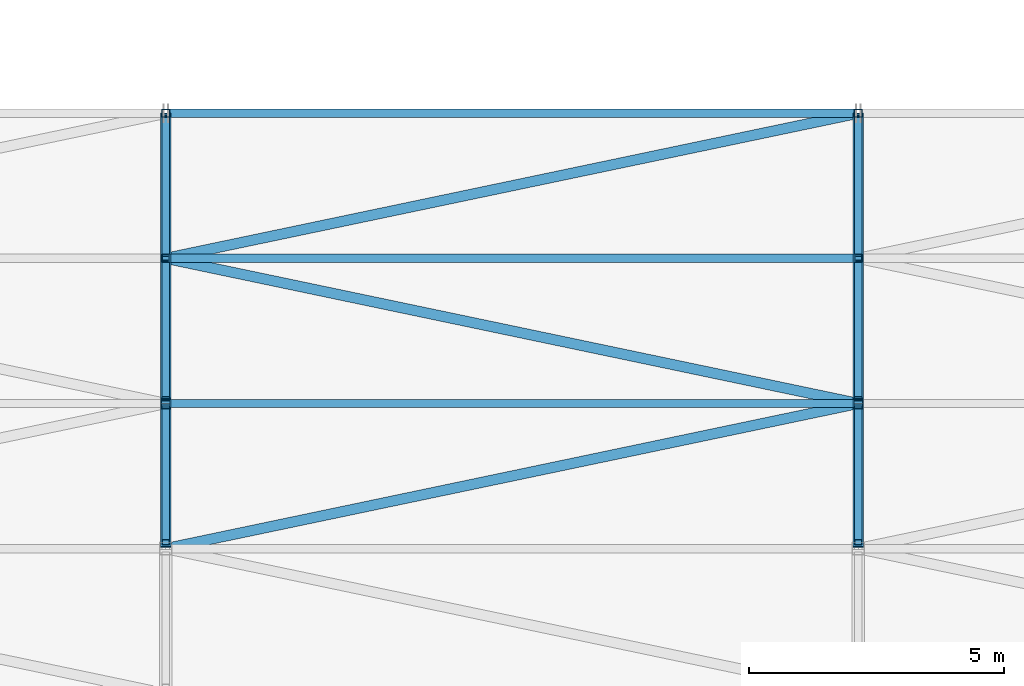
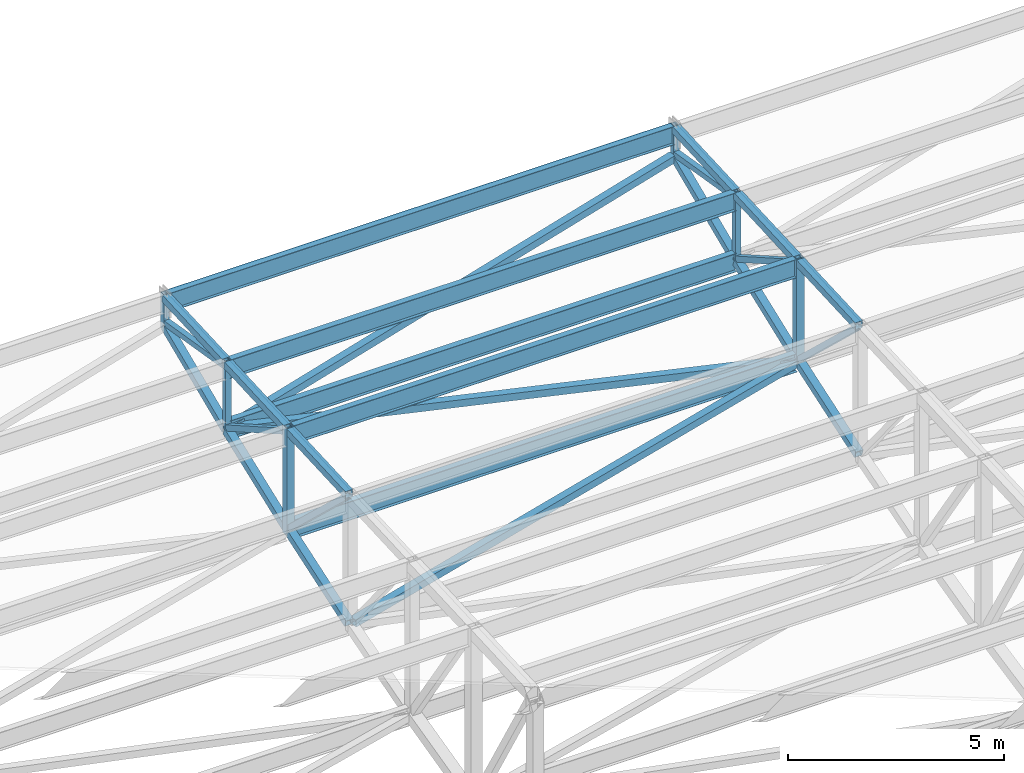
# One storey, part 26 of 278: 18 beams, 14 members.
"""IFC4 building model written with IfcOpenShell, lengths in metres."""

import ifcopenshell
import ifcopenshell.guid

model = None  # the IFC model being written
_history = None  # IfcOwnerHistory: only IFC2X3 demands one
_inside = {}  # id of a spatial element -> (the spatial element, [elements in it])
_under = {}  # id of a project, library or spatial element -> (it, [spatial elements below it])
_declared = {}  # id of a project -> (the project, [libraries it declares])
_typed = {}  # id of a type object -> (the type object, [elements of that type])
_made_of = {}  # id of a material, layer set ... -> (it, [elements and type objects made of it])


def new_model(schema):
    """Start an empty IFC model of exactly this schema.

    Asked for "IFC4X3", IfcOpenShell would pick the latest addendum, in which some entities
    have other attributes; the version numbers below select the first issue.
    IFC2X3 requires an IfcOwnerHistory on every rooted entity: one is made here for all.
    """
    global model, _history
    if schema == "IFC4X3":
        model = ifcopenshell.file(schema_version=(4, 3, 0, 0))
    else:
        model = ifcopenshell.file(schema=schema)
    _inside.clear()
    _under.clear()
    _declared.clear()
    _typed.clear()
    _made_of.clear()
    _history = None
    if model.schema == "IFC2X3":
        org = make("IfcOrganization", Name="unknown")
        user = make(
            "IfcPersonAndOrganization",
            ThePerson=make("IfcPerson", FamilyName="unknown"),
            TheOrganization=org,
        )
        app = make(
            "IfcApplication",
            ApplicationDeveloper=org,
            Version="unknown",
            ApplicationFullName="unknown",
            ApplicationIdentifier="unknown",
        )
        _history = make(
            "IfcOwnerHistory",
            OwningUser=user,
            OwningApplication=app,
            ChangeAction="ADDED",
            CreationDate=0,
        )
    return model


def make(cls, **values):
    """One entity of the class cls with the attributes given. An attribute that is None is left unset."""
    return model.create_entity(
        cls, **{name: value for name, value in values.items() if value is not None}
    )


def rooted(cls, **values):
    """An entity with a GlobalId (a new one), such as an element, a storey or a relation."""
    return make(cls, GlobalId=ifcopenshell.guid.new(), OwnerHistory=_history, **values)


def si_unit(unit_type, name, prefix=None):
    """IfcSIUnit, for example si_unit("LENGTHUNIT", "METRE", prefix="MILLI")."""
    return make("IfcSIUnit", UnitType=unit_type, Prefix=prefix, Name=name)


def assignment(units):
    """IfcUnitAssignment: the units of a project."""
    return None if units is None else make("IfcUnitAssignment", Units=units)


def point(xyz):
    """IfcCartesianPoint."""
    return None if xyz is None else make("IfcCartesianPoint", Coordinates=xyz)


def direction(xyz):
    """IfcDirection."""
    return None if xyz is None else make("IfcDirection", DirectionRatios=xyz)


def frame(location, z_axis=None, x_axis=None):
    """IfcAxis2Placement3D, a coordinate frame: its origin and axes. An axis left out is left unset."""
    return make(
        "IfcAxis2Placement3D",
        Location=point(location),
        Axis=direction(z_axis),
        RefDirection=direction(x_axis),
    )


def frame_2d(location, x_axis=None):
    """IfcAxis2Placement2D, a coordinate frame in the plane: its origin and x axis."""
    return make(
        "IfcAxis2Placement2D", Location=point(location), RefDirection=direction(x_axis)
    )


def origin():
    """The frame at (0, 0, 0) with its axes left unset."""
    return frame((0.0, 0.0, 0.0))


def origin_2d():
    """The frame at (0, 0) in the plane with its x axis left unset."""
    return frame_2d((0.0, 0.0))


def place(relative_to, where):
    """IfcLocalPlacement: puts the frame where relative to a parent placement (None: the world)."""
    return make(
        "IfcLocalPlacement", PlacementRelTo=relative_to, RelativePlacement=where
    )


def context(
    kind, dimensions, precision=None, world=None, true_north=None, identifier=None
):
    """IfcGeometricRepresentationContext, for example the 3D "Model" context."""
    return make(
        "IfcGeometricRepresentationContext",
        ContextIdentifier=identifier,
        ContextType=kind,
        CoordinateSpaceDimension=dimensions,
        Precision=precision,
        WorldCoordinateSystem=world,
        TrueNorth=true_north,
    )


def subcontext(parent, identifier, kind, view, scale=None):
    """IfcGeometricRepresentationSubContext, for example "Body" below "Model"."""
    return make(
        "IfcGeometricRepresentationSubContext",
        ContextIdentifier=identifier,
        ContextType=kind,
        ParentContext=parent,
        TargetScale=scale,
        TargetView=view,
    )


def project(units=None, contexts=None):
    """IfcProject with its units and contexts."""
    return rooted(
        "IfcProject",
        Name="project",
        RepresentationContexts=contexts,
        UnitsInContext=assignment(units),
    )


def spatial(cls, under=None, at=None, **own):
    """A site, building, storey or space (cls), placed at a placement, below another one or the project."""
    s = rooted(cls, ObjectPlacement=at, **own)
    if under is not None:
        _under.setdefault(under.id(), (under, []))[1].append(s)
    return s


def profile(cls, at=None, kind="AREA", **sizes):
    """A parametric profile (cls). Its sizes go by their IFC names, for example OverallWidth=200.0."""
    return make(cls, ProfileType=kind, Position=at, **sizes)


def hollow_rectangle(**sizes):
    """IfcRectangleHollowProfileDef."""
    return profile("IfcRectangleHollowProfileDef", **sizes)


def i_section(**sizes):
    """IfcIShapeProfileDef."""
    return profile("IfcIShapeProfileDef", **sizes)


def extrude(swept, where, along, depth):
    """IfcExtrudedAreaSolid: the profile swept, set in the frame where, extruded along a direction by depth."""
    return make(
        "IfcExtrudedAreaSolid",
        SweptArea=swept,
        Position=where,
        ExtrudedDirection=direction(along),
        Depth=depth,
    )


def shape(context_of_items, identifier, shape_type, items):
    """IfcShapeRepresentation: the items that make up one representation, for example the "Body"."""
    return make(
        "IfcShapeRepresentation",
        ContextOfItems=context_of_items,
        RepresentationIdentifier=identifier,
        RepresentationType=shape_type,
        Items=items,
    )


def material(Name=None, Category=None):
    """IfcMaterial."""
    return make("IfcMaterial", Name=Name, Category=Category)


def material_profile(
    of_material, cross_section, Name=None, Category=None, Priority=None
):
    """IfcMaterialProfile: a cross section and its material."""
    return make(
        "IfcMaterialProfile",
        Name=Name,
        Material=of_material,
        Profile=cross_section,
        Priority=Priority,
        Category=Category,
    )


def profile_set(profiles, Name=None, composite=None):
    """IfcMaterialProfileSet."""
    return make(
        "IfcMaterialProfileSet",
        Name=Name,
        MaterialProfiles=profiles,
        CompositeProfile=composite,
    )


def made_of(thing, what):
    """Note that an element or type object is made of a material, layer set ...; save() writes the relation."""
    if what is not None:
        _made_of.setdefault(what.id(), (what, []))[1].append(thing)
    return thing


def type_object(cls, material=None, **own):
    """A type object (cls), such as IfcWallType, which elements share."""
    return made_of(rooted(cls, **own), material)


def element(
    cls,
    number,
    at=None,
    inside=None,
    cuts=None,
    type_object=None,
    material=None,
    context=None,
    identifier="Body",
    shape_type=None,
    held_by="IfcProductDefinitionShape",
    body=None,
    shapes=None,
    **own,
):
    """One element of the class cls, such as IfcWall. Its Tag is "e" and its number.

    at: its placement. inside: the storey or other place that contains it. cuts: it is an
    opening in that element (IfcRelVoidsElement). A single representation is given by context,
    identifier, shape_type and body (its items); several are given by shapes. held_by: the class
    of the entity that holds the representations. save() writes the other relations.
    """
    e = rooted(cls, Tag="e%d" % number, ObjectPlacement=at, **own)
    if body is not None:
        shapes = [shape(context, identifier, shape_type, body)]
    if shapes is not None:
        e.Representation = make(held_by, Representations=shapes)
    if inside is not None:
        _inside.setdefault(inside.id(), (inside, []))[1].append(e)
    if cuts is not None:
        rooted(
            "IfcRelVoidsElement", RelatingBuildingElement=cuts, RelatedOpeningElement=e
        )
    if type_object is not None:
        _typed.setdefault(type_object.id(), (type_object, []))[1].append(e)
    return made_of(e, material)


def aggregate(whole, parts):
    """IfcRelAggregates: a whole, such as a stair, and the parts it consists of."""
    return rooted("IfcRelAggregates", RelatingObject=whole, RelatedObjects=parts)


def save(model, path):
    """Write the relations noted so far, then the file.

    IfcRelAggregates (storeys below a building ...), IfcRelContainedInSpatialStructure (elements
    in a storey), IfcRelDefinesByType, IfcRelAssociatesMaterial and IfcRelDeclares: one each for
    every whole, place, type object, material and project.
    """
    for whole, parts in _under.values():
        aggregate(whole, parts)
    for where, things in _inside.values():
        rooted(
            "IfcRelContainedInSpatialStructure",
            RelatedElements=things,
            RelatingStructure=where,
        )
    for kind, things in _typed.values():
        rooted("IfcRelDefinesByType", RelatedObjects=things, RelatingType=kind)
    for what, things in _made_of.values():
        rooted("IfcRelAssociatesMaterial", RelatedObjects=things, RelatingMaterial=what)
    for by, libraries in _declared.values():
        rooted("IfcRelDeclares", RelatingContext=by, RelatedDefinitions=libraries)
    model.write(path)


model = new_model("IFC4")

# Units and contexts
model_context = context("Model", 3, precision=1e-05, world=origin(), true_north=direction((0.0, 1.0)))
body_context = subcontext(model_context, "Body", "Model", "MODEL_VIEW")
ifc_project = project(units=[si_unit("LENGTHUNIT", "METRE"), si_unit("AREAUNIT", "SQUARE_METRE"), si_unit("VOLUMEUNIT", "CUBIC_METRE"), si_unit("PLANEANGLEUNIT", "RADIAN"), si_unit("MASSUNIT", "GRAM", prefix="KILO")], contexts=[model_context])

# Site, building, storey
site_placement = place(None, origin())
site = spatial("IfcSite", under=ifc_project, at=site_placement, CompositionType="ELEMENT")
building_placement = place(site_placement, origin())
building = spatial("IfcBuilding", under=site, at=building_placement, Name="Ogive Plaza Stadium", CompositionType="ELEMENT")
storey_placement = place(building_placement, frame((0.0, 0.0, 29.0)))
storey = spatial("IfcBuildingStorey", under=building, at=storey_placement, Name="Roof", CompositionType="ELEMENT", Elevation=29.0)

# Members
ifc_material_1 = material(Name="Steel ASTM A500 Grade C", Category="steel")
ifc_material_profile_1 = material_profile(ifc_material_1, hollow_rectangle(XDim=0.203125, YDim=0.203125, WallThickness=0.0087890625, at=origin_2d()), Name="HSS8X8X3/8")
ifc_profile_set_1 = profile_set([ifc_material_profile_1], Name="Steel ASTM A500 Grade C")
member_type_1 = type_object("IfcMemberType", Name="Roof plan brace HSS8X8X3/8", PredefinedType="BRACE", material=ifc_profile_set_1)
member_1_placement = place(storey_placement, frame((-6.86767578125, -64.01416015625, 6.5205078125), z_axis=(-0.974983402681, -0.204327358854, -0.087508256301), x_axis=(0.205114219191, -0.978738043138, 0.0)))
element("IfcMember", 1, at=member_1_placement, inside=storey, type_object=member_type_1, Name="ROOF BRACE B15 1", PredefinedType="BRACE", context=body_context, shape_type="SweptSolid", body=[
    extrude(hollow_rectangle(XDim=0.203125, YDim=0.203125, WallThickness=0.0087890625, at=origin_2d()), origin(), (0.0, 0.0, 1.0), 13.81005859375),
])
member_2_placement = place(storey_placement, frame((-20.332275390625, -66.8642578125, 5.30029296875), z_axis=(0.975733868402, -0.204463279961, -0.078346571082), x_axis=(0.205093700418, 0.978742343035, 0.0)))
element("IfcMember", 2, at=member_2_placement, inside=storey, type_object=member_type_1, Name="ROOF BRACE B15 2", PredefinedType="BRACE", context=body_context, shape_type="SweptSolid", body=[
    extrude(hollow_rectangle(XDim=0.203125, YDim=0.203125, WallThickness=0.0087890625, at=origin_2d()), origin(), (0.0, 0.0, 1.0), 13.7734375),
])
member_3_placement = place(storey_placement, frame((-6.89306640625, -69.719482421875, 4.207275390625), z_axis=(-0.976515317582, -0.204641125651, -0.067378366106), x_axis=(0.205107232709, -0.97873950727, 0.0)))
element("IfcMember", 3, at=member_3_placement, inside=storey, type_object=member_type_1, Name="ROOF BRACE B15 3", PredefinedType="BRACE", context=body_context, shape_type="SweptSolid", body=[
    extrude(hollow_rectangle(XDim=0.203125, YDim=0.203125, WallThickness=0.0087890625, at=origin_2d()), origin(), (0.0, 0.0, 1.0), 13.736328125),
])
ifc_material_2 = material(Name="Steel ASTM A992 Grade 50", Category="steel")
ifc_material_profile_2 = material_profile(ifc_material_2, i_section(OverallWidth=0.1650390625, OverallDepth=0.524658203125, WebThickness=0.0087890625, FlangeThickness=0.011474609375, at=origin_2d()), Name="W21X44")
ifc_profile_set_2 = profile_set([ifc_material_profile_2], Name="Steel ASTM A992 Grade 50")
member_type_2 = type_object("IfcMemberType", Name="Roof plan strut W21X44", PredefinedType="STRUT", material=ifc_profile_set_2)
member_4_placement = place(storey_placement, frame((-6.84619140625, -66.85009765625, 5.305908203125), z_axis=(-1.0, 0.0, 0.0), x_axis=(0.0, -1.0, 0.0)))
element("IfcMember", 4, at=member_4_placement, inside=storey, type_object=member_type_2, Name="ROOF STRUT B15 1", PredefinedType="STRUT", context=body_context, shape_type="SweptSolid", body=[
    extrude(i_section(OverallWidth=0.1650390625, OverallDepth=0.524658203125, WebThickness=0.0087890625, FlangeThickness=0.011474609375, at=origin_2d()), origin(), (0.0, 0.0, 1.0), 13.507568359375),
])
member_5_placement = place(storey_placement, frame((-6.87158203125, -69.699951171875, 4.213623046875), z_axis=(-1.0, 0.0, 0.0), x_axis=(0.0, -1.0, 0.0)))
element("IfcMember", 5, at=member_5_placement, inside=storey, type_object=member_type_2, Name="ROOF STRUT B15 2", PredefinedType="STRUT", context=body_context, shape_type="SweptSolid", body=[
    extrude(i_section(OverallWidth=0.1650390625, OverallDepth=0.524658203125, WebThickness=0.0087890625, FlangeThickness=0.011474609375, at=origin_2d()), origin(), (0.0, 0.0, 1.0), 13.456787109375),
])
ifc_material_3 = material(Name="Steel ASTM A992 Grade 50", Category="steel")
ifc_material_profile_3 = material_profile(ifc_material_3, i_section(OverallWidth=0.1650390625, OverallDepth=0.524658203125, WebThickness=0.0087890625, FlangeThickness=0.011474609375, at=origin_2d()), Name="W21X44")
ifc_profile_set_3 = profile_set([ifc_material_profile_3], Name="Steel ASTM A992 Grade 50")
member_type_3 = type_object("IfcMemberType", Name="Roof purlin W21X44", PredefinedType="PURLIN", material=ifc_profile_set_3)
member_6_placement = place(storey_placement, frame((-6.84619140625, -66.85009765625, 7.02001953125), z_axis=(-1.0, 0.0, 0.0), x_axis=(0.0, -1.0, 0.0)))
element("IfcMember", 6, at=member_6_placement, inside=storey, type_object=member_type_3, Name="ROOF PURLIN B15 1", PredefinedType="PURLIN", context=body_context, shape_type="SweptSolid", body=[
    extrude(i_section(OverallWidth=0.1650390625, OverallDepth=0.524658203125, WebThickness=0.0087890625, FlangeThickness=0.011474609375, at=origin_2d()), origin(), (0.0, 0.0, 1.0), 13.507568359375),
])
member_7_placement = place(storey_placement, frame((-6.87158203125, -69.699951171875, 6.877685546875), z_axis=(-1.0, 0.0, 0.0), x_axis=(0.0, -1.0, 0.0)))
element("IfcMember", 7, at=member_7_placement, inside=storey, type_object=member_type_3, Name="ROOF PURLIN B15 2", PredefinedType="PURLIN", context=body_context, shape_type="SweptSolid", body=[
    extrude(i_section(OverallWidth=0.1650390625, OverallDepth=0.524658203125, WebThickness=0.0087890625, FlangeThickness=0.011474609375, at=origin_2d()), origin(), (0.0, 0.0, 1.0), 13.456787109375),
])
ifc_material_4 = material(Name="Steel ASTM A992 Grade 50", Category="steel")
ifc_material_profile_4 = material_profile(ifc_material_4, i_section(OverallWidth=0.1650390625, OverallDepth=0.524658203125, WebThickness=0.0087890625, FlangeThickness=0.011474609375, at=origin_2d()), Name="W21X44")
ifc_profile_set_4 = profile_set([ifc_material_profile_4], Name="Steel ASTM A992 Grade 50")
member_type_4 = type_object("IfcMemberType", Name="Roof tip ring beam W21X44", PredefinedType="MEMBER", material=ifc_profile_set_4)
member_8_placement = place(storey_placement, frame((-6.84619140625, -64.0, 7.16259765625), z_axis=(-1.0, 0.0, 0.0), x_axis=(0.0, -1.0, 0.0)))
element("IfcMember", 8, at=member_8_placement, inside=storey, type_object=member_type_4, Name="RING BEAM B15", PredefinedType="MEMBER", context=body_context, shape_type="SweptSolid", body=[
    extrude(i_section(OverallWidth=0.1650390625, OverallDepth=0.524658203125, WebThickness=0.0087890625, FlangeThickness=0.011474609375, at=origin_2d()), origin(), (0.0, 0.0, 1.0), 13.507568359375),
])

# Beams
ifc_material_5 = material(Name="Steel ASTM A500 Grade C", Category="steel")
ifc_material_profile_5 = material_profile(ifc_material_5, hollow_rectangle(XDim=0.203125, YDim=0.203125, WallThickness=0.01171875, at=origin_2d()), Name="HSS8X8X1/2")
ifc_profile_set_5 = profile_set([ifc_material_profile_5], Name="Steel ASTM A500 Grade C")
beam_type_1 = type_object("IfcBeamType", Name="Roof truss bottom chord HSS8X8X1/2", PredefinedType="BEAM", material=ifc_profile_set_5)
beam_1_placement = place(storey_placement, frame((-6.800048828125, -64.0400390625, 6.518310546875), z_axis=(0.0, -0.919215459426, -0.393754922702), x_axis=(1.0, 0.0, 0.0)))
element("IfcBeam", 9, at=beam_1_placement, inside=storey, type_object=beam_type_1, Name="ROOF TRUSS T15 BOTTOM CHORD 1", PredefinedType="BEAM", context=body_context, shape_type="SweptSolid", body=[
    extrude(hollow_rectangle(XDim=0.203125, YDim=0.203125, WallThickness=0.01171875, at=origin_2d()), origin(), (0.0, 0.0, 1.0), 3.04736328125),
])
beam_2_placement = place(storey_placement, frame((-6.800048828125, -66.886474609375, 5.299072265625), z_axis=(0.0, -0.933780874892, -0.357845326484), x_axis=(1.0, 0.0, 0.0)))
element("IfcBeam", 10, at=beam_2_placement, inside=storey, type_object=beam_type_1, Name="ROOF TRUSS T15 BOTTOM CHORD 2", PredefinedType="BEAM", context=body_context, shape_type="SweptSolid", body=[
    extrude(hollow_rectangle(XDim=0.203125, YDim=0.203125, WallThickness=0.01171875, at=origin_2d()), origin(), (0.0, 0.0, 1.0), 2.97314453125),
])
beam_3_placement = place(storey_placement, frame((-6.800048828125, -69.74072265625, 4.20556640625), z_axis=(0.0, -0.947299736415, -0.320348574817), x_axis=(1.0, 0.0, 0.0)))
element("IfcBeam", 11, at=beam_3_placement, inside=storey, type_object=beam_type_1, Name="ROOF TRUSS T15 BOTTOM CHORD 3", PredefinedType="BEAM", context=body_context, shape_type="SweptSolid", body=[
    extrude(hollow_rectangle(XDim=0.203125, YDim=0.203125, WallThickness=0.01171875, at=origin_2d()), origin(), (0.0, 0.0, 1.0), 2.912841796875),
])
beam_4_placement = place(storey_placement, frame((-20.39990234375, -64.0400390625, 6.518310546875), z_axis=(0.0, -0.919215459426, -0.393754922702), x_axis=(1.0, 0.0, 0.0)))
element("IfcBeam", 12, at=beam_4_placement, inside=storey, type_object=beam_type_1, Name="ROOF TRUSS T16 BOTTOM CHORD 1", PredefinedType="BEAM", context=body_context, shape_type="SweptSolid", body=[
    extrude(hollow_rectangle(XDim=0.203125, YDim=0.203125, WallThickness=0.01171875, at=origin_2d()), origin(), (0.0, 0.0, 1.0), 3.04736328125),
])
beam_5_placement = place(storey_placement, frame((-20.39990234375, -66.886474609375, 5.299072265625), z_axis=(0.0, -0.933780874892, -0.357845326484), x_axis=(1.0, 0.0, 0.0)))
element("IfcBeam", 13, at=beam_5_placement, inside=storey, type_object=beam_type_1, Name="ROOF TRUSS T16 BOTTOM CHORD 2", PredefinedType="BEAM", context=body_context, shape_type="SweptSolid", body=[
    extrude(hollow_rectangle(XDim=0.203125, YDim=0.203125, WallThickness=0.01171875, at=origin_2d()), origin(), (0.0, 0.0, 1.0), 2.97314453125),
])
beam_6_placement = place(storey_placement, frame((-20.39990234375, -69.74072265625, 4.20556640625), z_axis=(0.0, -0.947299736415, -0.320348574817), x_axis=(1.0, 0.0, 0.0)))
element("IfcBeam", 14, at=beam_6_placement, inside=storey, type_object=beam_type_1, Name="ROOF TRUSS T16 BOTTOM CHORD 3", PredefinedType="BEAM", context=body_context, shape_type="SweptSolid", body=[
    extrude(hollow_rectangle(XDim=0.203125, YDim=0.203125, WallThickness=0.01171875, at=origin_2d()), origin(), (0.0, 0.0, 1.0), 2.912841796875),
])

# Members
ifc_material_6 = material(Name="Steel ASTM A500 Grade C", Category="steel")
ifc_material_profile_6 = material_profile(ifc_material_6, hollow_rectangle(XDim=0.15234375, YDim=0.15234375, WallThickness=0.005859375, at=origin_2d()), Name="HSS6X6X1/4")
ifc_profile_set_6 = profile_set([ifc_material_profile_6], Name="Steel ASTM A500 Grade C")
member_type_5 = type_object("IfcMemberType", Name="Roof truss diagonal HSS6X6X1/4", PredefinedType="BRACE", material=ifc_profile_set_6)
member_9_placement = place(storey_placement, frame((-6.800048828125, -64.076171875, 6.628173828125), z_axis=(0.0, -0.986299671123, 0.164963507307), x_axis=(1.0, 0.0, 0.0)))
element("IfcMember", 15, at=member_9_placement, inside=storey, type_object=member_type_5, Name="ROOF TRUSS T15 DIAGONAL 1", PredefinedType="BRACE", context=body_context, shape_type="SweptSolid", body=[
    extrude(hollow_rectangle(XDim=0.15234375, YDim=0.15234375, WallThickness=0.005859375, at=origin_2d()), origin(), (0.0, 0.0, 1.0), 2.73486328125),
])
member_10_placement = place(storey_placement, frame((-6.800048828125, -66.92626953125, 5.407470703125), z_axis=(0.0, -0.8679111184, 0.496719529069), x_axis=(1.0, 0.0, 0.0)))
element("IfcMember", 16, at=member_10_placement, inside=storey, type_object=member_type_5, Name="ROOF TRUSS T15 DIAGONAL 2", PredefinedType="BRACE", context=body_context, shape_type="SweptSolid", body=[
    extrude(hollow_rectangle(XDim=0.15234375, YDim=0.15234375, WallThickness=0.005859375, at=origin_2d()), origin(), (0.0, 0.0, 1.0), 3.078857421875),
])
member_11_placement = place(storey_placement, frame((-20.39990234375, -64.076171875, 6.628173828125), z_axis=(0.0, -0.986299671123, 0.164963507307), x_axis=(1.0, 0.0, 0.0)))
element("IfcMember", 17, at=member_11_placement, inside=storey, type_object=member_type_5, Name="ROOF TRUSS T16 DIAGONAL 1", PredefinedType="BRACE", context=body_context, shape_type="SweptSolid", body=[
    extrude(hollow_rectangle(XDim=0.15234375, YDim=0.15234375, WallThickness=0.005859375, at=origin_2d()), origin(), (0.0, 0.0, 1.0), 2.73486328125),
])
member_12_placement = place(storey_placement, frame((-20.39990234375, -66.92626953125, 5.407470703125), z_axis=(0.0, -0.8679111184, 0.496719529069), x_axis=(1.0, 0.0, 0.0)))
element("IfcMember", 18, at=member_12_placement, inside=storey, type_object=member_type_5, Name="ROOF TRUSS T16 DIAGONAL 2", PredefinedType="BRACE", context=body_context, shape_type="SweptSolid", body=[
    extrude(hollow_rectangle(XDim=0.15234375, YDim=0.15234375, WallThickness=0.005859375, at=origin_2d()), origin(), (0.0, 0.0, 1.0), 3.078857421875),
])
ifc_material_7 = material(Name="Steel ASTM A500 Grade C", Category="steel")
ifc_material_profile_7 = material_profile(ifc_material_7, hollow_rectangle(XDim=0.15234375, YDim=0.15234375, WallThickness=0.0087890625, at=origin_2d()), Name="HSS6X6X3/8")
ifc_profile_set_7 = profile_set([ifc_material_profile_7], Name="Steel ASTM A500 Grade C")
member_type_6 = type_object("IfcMemberType", Name="Roof truss diagonal HSS6X6X3/8", PredefinedType="BRACE", material=ifc_profile_set_7)
for number, where, z_axis, x_axis, name in (
    (19, (-6.800048828125, -69.801513671875, 4.315185546875), (0.0, -0.726588919749, 0.687072442832), (1.0, 0.0, 0.0), "ROOF TRUSS T15 DIAGONAL 3"),
    (20, (-20.39990234375, -69.801513671875, 4.315185546875), (0.0, -0.726588919749, 0.687072442832), (1.0, 0.0, 0.0), "ROOF TRUSS T16 DIAGONAL 3"),
):
    element("IfcMember", number, at=place(storey_placement, frame(where, z_axis=z_axis, x_axis=x_axis)), inside=storey, type_object=member_type_6, Name=name, PredefinedType="BRACE", context=body_context, shape_type="SweptSolid", body=[
        extrude(hollow_rectangle(XDim=0.15234375, YDim=0.15234375, WallThickness=0.0087890625, at=origin_2d()), origin(), (0.0, 0.0, 1.0), 3.608154296875),
    ])

# Beams
ifc_material_8 = material(Name="Steel ASTM A500 Grade C", Category="steel")
ifc_material_profile_8 = material_profile(ifc_material_8, hollow_rectangle(XDim=0.15234375, YDim=0.15234375, WallThickness=0.0087890625, at=origin_2d()), Name="HSS6X6X3/8")
ifc_profile_set_8 = profile_set([ifc_material_profile_8], Name="Steel ASTM A500 Grade C")
beam_type_2 = type_object("IfcBeamType", Name="Roof truss post HSS6X6X3/8", PredefinedType="BEAM", material=ifc_profile_set_8)
beam_7_placement = place(storey_placement, frame((-6.800048828125, -64.0, 6.425048828125), z_axis=(0.0, 0.0, 1.0), x_axis=(1.0, 0.0, 0.0)))
element("IfcBeam", 21, at=beam_7_placement, inside=storey, type_object=beam_type_2, Name="ROOF TRUSS T15 POST 1", PredefinedType="BEAM", context=body_context, shape_type="SweptSolid", body=[
    extrude(hollow_rectangle(XDim=0.15234375, YDim=0.15234375, WallThickness=0.0087890625, at=origin_2d()), origin(), (0.0, 0.0, 1.0), 1.0),
])
beam_8_placement = place(storey_placement, frame((-6.800048828125, -66.85009765625, 5.204345703125), z_axis=(0.0, 0.0, 1.0), x_axis=(1.0, 0.0, 0.0)))
element("IfcBeam", 22, at=beam_8_placement, inside=storey, type_object=beam_type_2, Name="ROOF TRUSS T15 POST 2", PredefinedType="BEAM", context=body_context, shape_type="SweptSolid", body=[
    extrude(hollow_rectangle(XDim=0.15234375, YDim=0.15234375, WallThickness=0.0087890625, at=origin_2d()), origin(), (0.0, 0.0, 1.0), 2.078125),
])
beam_9_placement = place(storey_placement, frame((-20.39990234375, -64.0, 6.425048828125), z_axis=(0.0, 0.0, 1.0), x_axis=(1.0, 0.0, 0.0)))
element("IfcBeam", 23, at=beam_9_placement, inside=storey, type_object=beam_type_2, Name="ROOF TRUSS T16 POST 1", PredefinedType="BEAM", context=body_context, shape_type="SweptSolid", body=[
    extrude(hollow_rectangle(XDim=0.15234375, YDim=0.15234375, WallThickness=0.0087890625, at=origin_2d()), origin(), (0.0, 0.0, 1.0), 1.0),
])
beam_10_placement = place(storey_placement, frame((-20.39990234375, -66.85009765625, 5.204345703125), z_axis=(0.0, 0.0, 1.0), x_axis=(1.0, 0.0, 0.0)))
element("IfcBeam", 24, at=beam_10_placement, inside=storey, type_object=beam_type_2, Name="ROOF TRUSS T16 POST 2", PredefinedType="BEAM", context=body_context, shape_type="SweptSolid", body=[
    extrude(hollow_rectangle(XDim=0.15234375, YDim=0.15234375, WallThickness=0.0087890625, at=origin_2d()), origin(), (0.0, 0.0, 1.0), 2.078125),
])
ifc_material_9 = material(Name="Steel ASTM A500 Grade C", Category="steel")
ifc_material_profile_9 = material_profile(ifc_material_9, hollow_rectangle(XDim=0.203125, YDim=0.203125, WallThickness=0.0087890625, at=origin_2d()), Name="HSS8X8X3/8")
ifc_profile_set_9 = profile_set([ifc_material_profile_9], Name="Steel ASTM A500 Grade C")
beam_type_3 = type_object("IfcBeamType", Name="Roof truss post HSS8X8X3/8", PredefinedType="BEAM", material=ifc_profile_set_9)
for number, where, z_axis, x_axis, name in (
    (25, (-6.800048828125, -69.699951171875, 4.112060546875), (0.0, 0.0, 1.0), (1.0, 0.0, 0.0), "ROOF TRUSS T15 POST 3"),
    (26, (-20.39990234375, -69.699951171875, 4.112060546875), (0.0, 0.0, 1.0), (1.0, 0.0, 0.0), "ROOF TRUSS T16 POST 3"),
):
    element("IfcBeam", number, at=place(storey_placement, frame(where, z_axis=z_axis, x_axis=x_axis)), inside=storey, type_object=beam_type_3, Name=name, PredefinedType="BEAM", context=body_context, shape_type="SweptSolid", body=[
        extrude(hollow_rectangle(XDim=0.203125, YDim=0.203125, WallThickness=0.0087890625, at=origin_2d()), origin(), (0.0, 0.0, 1.0), 3.02783203125),
    ])
ifc_material_10 = material(Name="Steel ASTM A500 Grade C", Category="steel")
ifc_material_profile_10 = material_profile(ifc_material_10, hollow_rectangle(XDim=0.203125, YDim=0.203125, WallThickness=0.0087890625, at=origin_2d()), Name="HSS8X8X3/8")
ifc_profile_set_10 = profile_set([ifc_material_profile_10], Name="Steel ASTM A500 Grade C")
beam_type_4 = type_object("IfcBeamType", Name="Roof truss top chord HSS8X8X3/8", PredefinedType="BEAM", material=ifc_profile_set_10)
beam_11_placement = place(storey_placement, frame((-6.800048828125, -64.041259765625, 7.3212890625), z_axis=(0.0, -0.998751459876, -0.049955193873), x_axis=(1.0, 0.0, 0.0)))
element("IfcBeam", 27, at=beam_11_placement, inside=storey, type_object=beam_type_4, Name="ROOF TRUSS T15 TOP CHORD 1", PredefinedType="BEAM", context=body_context, shape_type="SweptSolid", body=[
    extrude(hollow_rectangle(XDim=0.203125, YDim=0.203125, WallThickness=0.0087890625, at=origin_2d()), origin(), (0.0, 0.0, 1.0), 2.77099609375),
])
beam_12_placement = place(storey_placement, frame((-6.800048828125, -66.89111328125, 7.1787109375), z_axis=(0.0, -0.998752338878, -0.049937616944), x_axis=(1.0, 0.0, 0.0)))
element("IfcBeam", 28, at=beam_12_placement, inside=storey, type_object=beam_type_4, Name="ROOF TRUSS T15 TOP CHORD 2", PredefinedType="BEAM", context=body_context, shape_type="SweptSolid", body=[
    extrude(hollow_rectangle(XDim=0.203125, YDim=0.203125, WallThickness=0.0087890625, at=origin_2d()), origin(), (0.0, 0.0, 1.0), 2.76220703125),
])
beam_13_placement = place(storey_placement, frame((-6.800048828125, -69.75, 7.035888671875), z_axis=(0.0, -0.998748798523, -0.05000837379), x_axis=(1.0, 0.0, 0.0)))
element("IfcBeam", 29, at=beam_13_placement, inside=storey, type_object=beam_type_4, Name="ROOF TRUSS T15 TOP CHORD 3", PredefinedType="BEAM", context=body_context, shape_type="SweptSolid", body=[
    extrude(hollow_rectangle(XDim=0.203125, YDim=0.203125, WallThickness=0.0087890625, at=origin_2d()), origin(), (0.0, 0.0, 1.0), 2.75341796875),
])
beam_14_placement = place(storey_placement, frame((-20.39990234375, -64.041259765625, 7.3212890625), z_axis=(0.0, -0.998751459876, -0.049955193873), x_axis=(1.0, 0.0, 0.0)))
element("IfcBeam", 30, at=beam_14_placement, inside=storey, type_object=beam_type_4, Name="ROOF TRUSS T16 TOP CHORD 1", PredefinedType="BEAM", context=body_context, shape_type="SweptSolid", body=[
    extrude(hollow_rectangle(XDim=0.203125, YDim=0.203125, WallThickness=0.0087890625, at=origin_2d()), origin(), (0.0, 0.0, 1.0), 2.77099609375),
])
beam_15_placement = place(storey_placement, frame((-20.39990234375, -66.89111328125, 7.1787109375), z_axis=(0.0, -0.998752338878, -0.049937616944), x_axis=(1.0, 0.0, 0.0)))
element("IfcBeam", 31, at=beam_15_placement, inside=storey, type_object=beam_type_4, Name="ROOF TRUSS T16 TOP CHORD 2", PredefinedType="BEAM", context=body_context, shape_type="SweptSolid", body=[
    extrude(hollow_rectangle(XDim=0.203125, YDim=0.203125, WallThickness=0.0087890625, at=origin_2d()), origin(), (0.0, 0.0, 1.0), 2.76220703125),
])
beam_16_placement = place(storey_placement, frame((-20.39990234375, -69.75, 7.035888671875), z_axis=(0.0, -0.998748798523, -0.05000837379), x_axis=(1.0, 0.0, 0.0)))
element("IfcBeam", 32, at=beam_16_placement, inside=storey, type_object=beam_type_4, Name="ROOF TRUSS T16 TOP CHORD 3", PredefinedType="BEAM", context=body_context, shape_type="SweptSolid", body=[
    extrude(hollow_rectangle(XDim=0.203125, YDim=0.203125, WallThickness=0.0087890625, at=origin_2d()), origin(), (0.0, 0.0, 1.0), 2.75341796875),
])

save(model, "model.ifc")
